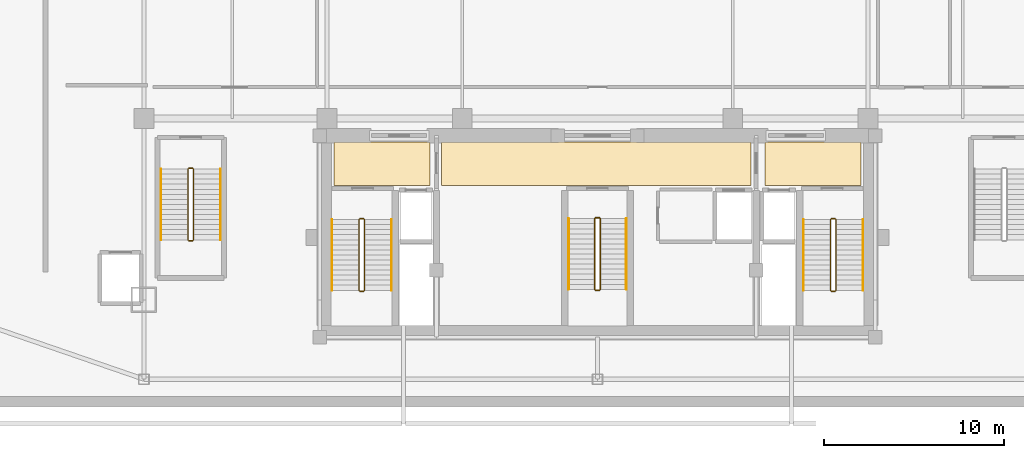
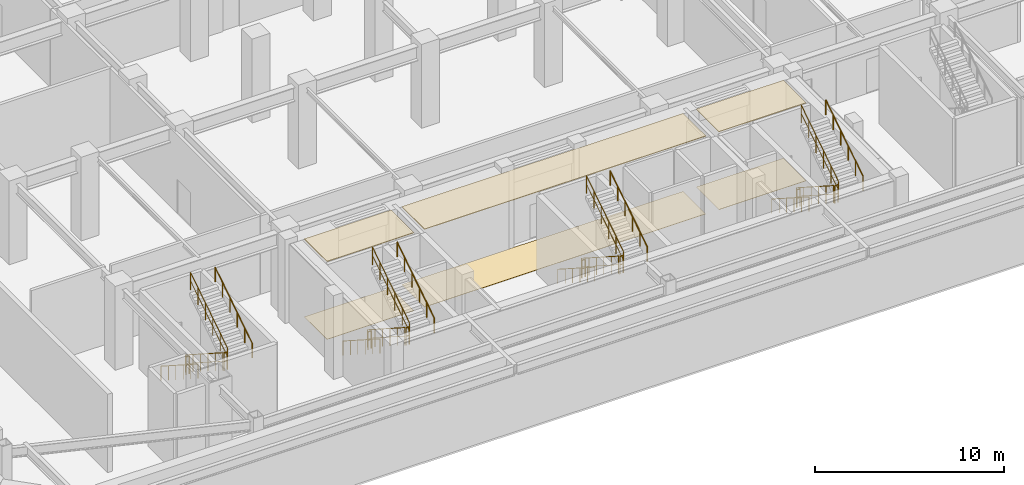
# One storey, part 8 of 9: 24 railings, 6 coverings.
"""IFC4 building model written with IfcOpenShell, lengths in metres."""

import ifcopenshell
import ifcopenshell.guid

model = None  # the IFC model being written
_history = None  # IfcOwnerHistory: only IFC2X3 demands one
_inside = {}  # id of a spatial element -> (the spatial element, [elements in it])
_under = {}  # id of a project, library or spatial element -> (it, [spatial elements below it])
_declared = {}  # id of a project -> (the project, [libraries it declares])
_typed = {}  # id of a type object -> (the type object, [elements of that type])
_made_of = {}  # id of a material, layer set ... -> (it, [elements and type objects made of it])


def new_model(schema):
    """Start an empty IFC model of exactly this schema.

    Asked for "IFC4X3", IfcOpenShell would pick the latest addendum, in which some entities
    have other attributes; the version numbers below select the first issue.
    IFC2X3 requires an IfcOwnerHistory on every rooted entity: one is made here for all.
    """
    global model, _history
    if schema == "IFC4X3":
        model = ifcopenshell.file(schema_version=(4, 3, 0, 0))
    else:
        model = ifcopenshell.file(schema=schema)
    _inside.clear()
    _under.clear()
    _declared.clear()
    _typed.clear()
    _made_of.clear()
    _history = None
    if model.schema == "IFC2X3":
        org = make("IfcOrganization", Name="unknown")
        user = make(
            "IfcPersonAndOrganization",
            ThePerson=make("IfcPerson", FamilyName="unknown"),
            TheOrganization=org,
        )
        app = make(
            "IfcApplication",
            ApplicationDeveloper=org,
            Version="unknown",
            ApplicationFullName="unknown",
            ApplicationIdentifier="unknown",
        )
        _history = make(
            "IfcOwnerHistory",
            OwningUser=user,
            OwningApplication=app,
            ChangeAction="ADDED",
            CreationDate=0,
        )
    return model


def make(cls, **values):
    """One entity of the class cls with the attributes given. An attribute that is None is left unset."""
    return model.create_entity(
        cls, **{name: value for name, value in values.items() if value is not None}
    )


def rooted(cls, **values):
    """An entity with a GlobalId (a new one), such as an element, a storey or a relation."""
    return make(cls, GlobalId=ifcopenshell.guid.new(), OwnerHistory=_history, **values)


def si_unit(unit_type, name, prefix=None):
    """IfcSIUnit, for example si_unit("LENGTHUNIT", "METRE", prefix="MILLI")."""
    return make("IfcSIUnit", UnitType=unit_type, Prefix=prefix, Name=name)


def assignment(units):
    """IfcUnitAssignment: the units of a project."""
    return None if units is None else make("IfcUnitAssignment", Units=units)


def point(xyz):
    """IfcCartesianPoint."""
    return None if xyz is None else make("IfcCartesianPoint", Coordinates=xyz)


def direction(xyz):
    """IfcDirection."""
    return None if xyz is None else make("IfcDirection", DirectionRatios=xyz)


def frame(location, z_axis=None, x_axis=None):
    """IfcAxis2Placement3D, a coordinate frame: its origin and axes. An axis left out is left unset."""
    return make(
        "IfcAxis2Placement3D",
        Location=point(location),
        Axis=direction(z_axis),
        RefDirection=direction(x_axis),
    )


def frame_2d(location, x_axis=None):
    """IfcAxis2Placement2D, a coordinate frame in the plane: its origin and x axis."""
    return make(
        "IfcAxis2Placement2D", Location=point(location), RefDirection=direction(x_axis)
    )


def origin():
    """The frame at (0, 0, 0) with its axes left unset."""
    return frame((0.0, 0.0, 0.0))


def origin_2d():
    """The frame at (0, 0) in the plane with its x axis left unset."""
    return frame_2d((0.0, 0.0))


def place(relative_to, where):
    """IfcLocalPlacement: puts the frame where relative to a parent placement (None: the world)."""
    return make(
        "IfcLocalPlacement", PlacementRelTo=relative_to, RelativePlacement=where
    )


def context(
    kind, dimensions, precision=None, world=None, true_north=None, identifier=None
):
    """IfcGeometricRepresentationContext, for example the 3D "Model" context."""
    return make(
        "IfcGeometricRepresentationContext",
        ContextIdentifier=identifier,
        ContextType=kind,
        CoordinateSpaceDimension=dimensions,
        Precision=precision,
        WorldCoordinateSystem=world,
        TrueNorth=true_north,
    )


def subcontext(parent, identifier, kind, view, scale=None):
    """IfcGeometricRepresentationSubContext, for example "Body" below "Model"."""
    return make(
        "IfcGeometricRepresentationSubContext",
        ContextIdentifier=identifier,
        ContextType=kind,
        ParentContext=parent,
        TargetScale=scale,
        TargetView=view,
    )


def project(units=None, contexts=None):
    """IfcProject with its units and contexts."""
    return rooted(
        "IfcProject",
        Name="project",
        RepresentationContexts=contexts,
        UnitsInContext=assignment(units),
    )


def spatial(cls, under=None, at=None, **own):
    """A site, building, storey or space (cls), placed at a placement, below another one or the project."""
    s = rooted(cls, ObjectPlacement=at, **own)
    if under is not None:
        _under.setdefault(under.id(), (under, []))[1].append(s)
    return s


def polyline(points):
    """IfcPolyline through the points."""
    return make("IfcPolyline", Points=[point(p) for p in points])


def profile(cls, at=None, kind="AREA", **sizes):
    """A parametric profile (cls). Its sizes go by their IFC names, for example OverallWidth=200.0."""
    return make(cls, ProfileType=kind, Position=at, **sizes)


def circle(**sizes):
    """IfcCircleProfileDef."""
    return profile("IfcCircleProfileDef", **sizes)


def outline(outer, holes=None, kind="AREA"):
    """IfcArbitraryClosedProfileDef: a profile drawn as a closed curve; with holes, ...WithVoids."""
    if holes is None:
        return make("IfcArbitraryClosedProfileDef", ProfileType=kind, OuterCurve=outer)
    return make(
        "IfcArbitraryProfileDefWithVoids",
        ProfileType=kind,
        OuterCurve=outer,
        InnerCurves=holes,
    )


def extrude(swept, where, along, depth):
    """IfcExtrudedAreaSolid: the profile swept, set in the frame where, extruded along a direction by depth."""
    return make(
        "IfcExtrudedAreaSolid",
        SweptArea=swept,
        Position=where,
        ExtrudedDirection=direction(along),
        Depth=depth,
    )


def shape(context_of_items, identifier, shape_type, items):
    """IfcShapeRepresentation: the items that make up one representation, for example the "Body"."""
    return make(
        "IfcShapeRepresentation",
        ContextOfItems=context_of_items,
        RepresentationIdentifier=identifier,
        RepresentationType=shape_type,
        Items=items,
    )


def material(Name=None, Category=None):
    """IfcMaterial."""
    return make("IfcMaterial", Name=Name, Category=Category)


def layer(
    of_material, thickness, ventilated=None, Name=None, Category=None, Priority=None
):
    """IfcMaterialLayer: one layer of a wall or slab, of a material (None: an air gap)."""
    return make(
        "IfcMaterialLayer",
        Material=of_material,
        LayerThickness=thickness,
        IsVentilated=ventilated,
        Name=Name,
        Category=Category,
        Priority=Priority,
    )


def layer_set(layers, Name=None):
    """IfcMaterialLayerSet."""
    return make("IfcMaterialLayerSet", MaterialLayers=layers, LayerSetName=Name)


def made_of(thing, what):
    """Note that an element or type object is made of a material, layer set ...; save() writes the relation."""
    if what is not None:
        _made_of.setdefault(what.id(), (what, []))[1].append(thing)
    return thing


def type_object(cls, material=None, **own):
    """A type object (cls), such as IfcWallType, which elements share."""
    return made_of(rooted(cls, **own), material)


def element(
    cls,
    number,
    at=None,
    inside=None,
    cuts=None,
    type_object=None,
    material=None,
    context=None,
    identifier="Body",
    shape_type=None,
    held_by="IfcProductDefinitionShape",
    body=None,
    shapes=None,
    **own,
):
    """One element of the class cls, such as IfcWall. Its Tag is "e" and its number.

    at: its placement. inside: the storey or other place that contains it. cuts: it is an
    opening in that element (IfcRelVoidsElement). A single representation is given by context,
    identifier, shape_type and body (its items); several are given by shapes. held_by: the class
    of the entity that holds the representations. save() writes the other relations.
    """
    e = rooted(cls, Tag="e%d" % number, ObjectPlacement=at, **own)
    if body is not None:
        shapes = [shape(context, identifier, shape_type, body)]
    if shapes is not None:
        e.Representation = make(held_by, Representations=shapes)
    if inside is not None:
        _inside.setdefault(inside.id(), (inside, []))[1].append(e)
    if cuts is not None:
        rooted(
            "IfcRelVoidsElement", RelatingBuildingElement=cuts, RelatedOpeningElement=e
        )
    if type_object is not None:
        _typed.setdefault(type_object.id(), (type_object, []))[1].append(e)
    return made_of(e, material)


def aggregate(whole, parts):
    """IfcRelAggregates: a whole, such as a stair, and the parts it consists of."""
    return rooted("IfcRelAggregates", RelatingObject=whole, RelatedObjects=parts)


def save(model, path):
    """Write the relations noted so far, then the file.

    IfcRelAggregates (storeys below a building ...), IfcRelContainedInSpatialStructure (elements
    in a storey), IfcRelDefinesByType, IfcRelAssociatesMaterial and IfcRelDeclares: one each for
    every whole, place, type object, material and project.
    """
    for whole, parts in _under.values():
        aggregate(whole, parts)
    for where, things in _inside.values():
        rooted(
            "IfcRelContainedInSpatialStructure",
            RelatedElements=things,
            RelatingStructure=where,
        )
    for kind, things in _typed.values():
        rooted("IfcRelDefinesByType", RelatedObjects=things, RelatingType=kind)
    for what, things in _made_of.values():
        rooted("IfcRelAssociatesMaterial", RelatedObjects=things, RelatingMaterial=what)
    for by, libraries in _declared.values():
        rooted("IfcRelDeclares", RelatingContext=by, RelatedDefinitions=libraries)
    model.write(path)


model = new_model("IFC4")

# Units and contexts
model_context = context("Model", 3, precision=1e-05, world=origin(), true_north=direction((0.0, 1.0)))
body_context = subcontext(model_context, "Body", "Model", "MODEL_VIEW")
ifc_project = project(units=[si_unit("LENGTHUNIT", "METRE"), si_unit("AREAUNIT", "SQUARE_METRE"), si_unit("VOLUMEUNIT", "CUBIC_METRE"), si_unit("PLANEANGLEUNIT", "RADIAN"), si_unit("MASSUNIT", "GRAM", prefix="KILO")], contexts=[model_context])

# Site, building, storey
site_placement = place(None, origin())
site = spatial("IfcSite", under=ifc_project, at=site_placement, CompositionType="ELEMENT")
building_placement = place(site_placement, origin())
building = spatial("IfcBuilding", under=site, at=building_placement, Name="Ventersveld Concourse Tower", CompositionType="ELEMENT")
storey_placement = place(building_placement, frame((0.0, 0.0, -5.39990234375)))
storey = spatial("IfcBuildingStorey", under=building, at=storey_placement, Name="B01", CompositionType="ELEMENT", Elevation=-5.39990234375)

# Coverings
ifc_material_1 = material(Name="Mineral-fibre acoustic ceiling tile", Category="gypsum")
ifc_layer_1 = layer(ifc_material_1, 0.0400390625)
ifc_layer_set_1 = layer_set([ifc_layer_1], Name="Mineral-fibre acoustic ceiling tile")
covering_type_1 = type_object("IfcCoveringType", Name="COV-CEIL-ACOUSTIC", PredefinedType="CEILING", material=ifc_layer_set_1)
covering_1_placement = place(storey_placement, frame((0.0, 0.0, 5.010009765625)))
element("IfcCovering", 1, at=covering_1_placement, inside=storey, type_object=covering_type_1, Name="B01 North Lift Lobby Acoustic Ceiling", PredefinedType="CEILING", context=body_context, shape_type="SweptSolid", body=[
    extrude(outline(polyline([(20.10009765625, 8.699951171875), (37.25, 8.699951171875), (37.25, 11.10009765625), (20.10009765625, 11.10009765625), (20.10009765625, 8.699951171875)])), origin(), (0.0, 0.0, 1.0), 0.039794921875),
])
covering_2_placement = place(storey_placement, frame((0.0, 0.0, 5.010009765625)))
element("IfcCovering", 2, at=covering_2_placement, inside=storey, type_object=covering_type_1, Name="B01 West Firefighting Lobby Acoustic Ceiling", PredefinedType="CEILING", context=body_context, shape_type="SweptSolid", body=[
    extrude(outline(polyline([(14.14990234375, 8.699951171875), (19.449951171875, 8.699951171875), (19.449951171875, 11.10009765625), (14.14990234375, 11.10009765625), (14.14990234375, 8.699951171875)])), origin(), (0.0, 0.0, 1.0), 0.039794921875),
])
covering_3_placement = place(storey_placement, frame((0.0, 0.0, 5.010009765625)))
element("IfcCovering", 3, at=covering_3_placement, inside=storey, type_object=covering_type_1, Name="B01 East Firefighting Lobby Acoustic Ceiling", PredefinedType="CEILING", context=body_context, shape_type="SweptSolid", body=[
    extrude(outline(polyline([(38.050048828125, 8.699951171875), (43.35009765625, 8.699951171875), (43.35009765625, 11.10009765625), (38.050048828125, 11.10009765625), (38.050048828125, 8.699951171875)])), origin(), (0.0, 0.0, 1.0), 0.039794921875),
])
ifc_material_2 = material(Name="Polished Highveld granite terrazzo", Category="masonry")
ifc_layer_2 = layer(ifc_material_2, 0.02001953125)
ifc_layer_set_2 = layer_set([ifc_layer_2], Name="Polished Highveld granite terrazzo")
covering_type_2 = type_object("IfcCoveringType", Name="COV-FLOOR-TERRAZZO", PredefinedType="FLOORING", material=ifc_layer_set_2)
covering_4_placement = place(storey_placement, origin())
element("IfcCovering", 4, at=covering_4_placement, inside=storey, type_object=covering_type_2, Name="B01 North Lift Lobby Terrazzo Flooring", PredefinedType="FLOORING", context=body_context, shape_type="SweptSolid", body=[
    extrude(outline(polyline([(20.10009765625, 8.699951171875), (37.25, 8.699951171875), (37.25, 11.10009765625), (20.10009765625, 11.10009765625), (20.10009765625, 8.699951171875)])), origin(), (0.0, 0.0, 1.0), 0.02001953125),
])
covering_5_placement = place(storey_placement, origin())
element("IfcCovering", 5, at=covering_5_placement, inside=storey, type_object=covering_type_2, Name="B01 West Firefighting Lobby Terrazzo Flooring", PredefinedType="FLOORING", context=body_context, shape_type="SweptSolid", body=[
    extrude(outline(polyline([(14.14990234375, 8.699951171875), (19.449951171875, 8.699951171875), (19.449951171875, 11.10009765625), (14.14990234375, 11.10009765625), (14.14990234375, 8.699951171875)])), origin(), (0.0, 0.0, 1.0), 0.02001953125),
])
covering_6_placement = place(storey_placement, origin())
element("IfcCovering", 6, at=covering_6_placement, inside=storey, type_object=covering_type_2, Name="B01 East Firefighting Lobby Terrazzo Flooring", PredefinedType="FLOORING", context=body_context, shape_type="SweptSolid", body=[
    extrude(outline(polyline([(38.050048828125, 8.699951171875), (43.35009765625, 8.699951171875), (43.35009765625, 11.10009765625), (38.050048828125, 11.10009765625), (38.050048828125, 8.699951171875)])), origin(), (0.0, 0.0, 1.0), 0.02001953125),
])

# Railings
ifc_material_3 = material(Name="Brushed stainless steel 316", Category="steel")
railing_type_1 = type_object("IfcRailingType", Name="GD-BAL-115", PredefinedType="GUARDRAIL", material=ifc_material_3)
railing_1_placement = place(storey_placement, frame((15.530029296875, 6.800048828125, 0.179931640625)))
element("IfcRailing", 7, at=railing_1_placement, inside=storey, type_object=railing_type_1, Name="B01 ST-01 stair guard 1", PredefinedType="GUARDRAIL", context=body_context, shape_type="SweptSolid", body=[
    extrude(circle(Radius=0.02392578125, at=origin_2d()), frame((0.0, 0.0, 1.1259765625), z_axis=(0.0, -0.841186985886, 0.540744352514), x_axis=(1.0, 0.0, 0.0)), (0.0, 0.0, 1.0), 4.660400390625),
    extrude(circle(Radius=0.01611328125, at=origin_2d()), frame((0.0, 0.0, 0.574951171875), z_axis=(0.0, -0.841186985886, 0.540744352514), x_axis=(1.0, 0.0, 0.0)), (0.0, 0.0, 1.0), 4.660400390625),
    extrude(circle(Radius=0.02099609375, at=origin_2d()), origin(), (0.0, 0.0, 1.0), 1.101806640625),
    extrude(circle(Radius=0.02099609375, at=origin_2d()), frame((0.0, -0.783935546875, 0.50390625)), (0.0, 0.0, 1.0), 1.101806640625),
    extrude(circle(Radius=0.02099609375, at=origin_2d()), frame((0.0, -1.568115234375, 1.008056640625)), (0.0, 0.0, 1.0), 1.101806640625),
    extrude(circle(Radius=0.02099609375, at=origin_2d()), frame((0.0, -2.35205078125, 1.511962890625)), (0.0, 0.0, 1.0), 1.101806640625),
    extrude(circle(Radius=0.02099609375, at=origin_2d()), frame((0.0, -3.13623046875, 2.01611328125)), (0.0, 0.0, 1.0), 1.101806640625),
    extrude(circle(Radius=0.02099609375, at=origin_2d()), frame((0.0, -3.920166015625, 2.52001953125)), (0.0, 0.0, 1.0), 1.101806640625),
])
railing_2_placement = place(storey_placement, frame((15.580078125, 2.830078125, 2.699951171875)))
element("IfcRailing", 8, at=railing_2_placement, inside=storey, type_object=railing_type_1, Name="B01 ST-01 stair guard 2", PredefinedType="GUARDRAIL", context=body_context, shape_type="SweptSolid", body=[
    extrude(circle(Radius=0.02392578125, at=origin_2d()), frame((0.0, 0.0, 1.1259765625), z_axis=(1.0, 0.0, 0.0), x_axis=(0.0, 1.0, 0.0)), (0.0, 0.0, 1.0), 0.199951171875),
    extrude(circle(Radius=0.01611328125, at=origin_2d()), frame((0.0, 0.0, 0.574951171875), z_axis=(1.0, 0.0, 0.0), x_axis=(0.0, 1.0, 0.0)), (0.0, 0.0, 1.0), 0.199951171875),
    extrude(circle(Radius=0.02099609375, at=origin_2d()), origin(), (0.0, 0.0, 1.0), 1.101806640625),
    extrude(circle(Radius=0.02099609375, at=origin_2d()), frame((0.199951171875, 0.0, 0.0)), (0.0, 0.0, 1.0), 1.101806640625),
])
railing_3_placement = place(storey_placement, frame((15.830078125, 2.8798828125, 2.8798828125)))
element("IfcRailing", 9, at=railing_3_placement, inside=storey, type_object=railing_type_1, Name="B01 ST-01 stair guard 3", PredefinedType="GUARDRAIL", context=body_context, shape_type="SweptSolid", body=[
    extrude(circle(Radius=0.02392578125, at=origin_2d()), frame((0.0, 0.0, 1.1259765625), z_axis=(0.0, 0.841186985886, 0.540744352514), x_axis=(-1.0, 0.0, 0.0)), (0.0, 0.0, 1.0), 4.660400390625),
    extrude(circle(Radius=0.01611328125, at=origin_2d()), frame((0.0, 0.0, 0.574951171875), z_axis=(0.0, 0.841186985886, 0.540744352514), x_axis=(-1.0, 0.0, 0.0)), (0.0, 0.0, 1.0), 4.660400390625),
    extrude(circle(Radius=0.02099609375, at=origin_2d()), origin(), (0.0, 0.0, 1.0), 1.101806640625),
    extrude(circle(Radius=0.02099609375, at=origin_2d()), frame((0.0, 0.783935546875, 0.50390625)), (0.0, 0.0, 1.0), 1.101806640625),
    extrude(circle(Radius=0.02099609375, at=origin_2d()), frame((0.0, 1.568115234375, 1.008056640625)), (0.0, 0.0, 1.0), 1.101806640625),
    extrude(circle(Radius=0.02099609375, at=origin_2d()), frame((0.0, 2.35205078125, 1.511962890625)), (0.0, 0.0, 1.0), 1.101806640625),
    extrude(circle(Radius=0.02099609375, at=origin_2d()), frame((0.0, 3.13623046875, 2.01611328125)), (0.0, 0.0, 1.0), 1.101806640625),
    extrude(circle(Radius=0.02099609375, at=origin_2d()), frame((0.0, 3.920166015625, 2.52001953125)), (0.0, 0.0, 1.0), 1.101806640625),
])
railing_4_placement = place(storey_placement, frame((15.580078125, 6.85009765625, 0.0)))
element("IfcRailing", 10, at=railing_4_placement, inside=storey, type_object=railing_type_1, Name="B01 ST-01 stair guard 4", PredefinedType="GUARDRAIL", context=body_context, shape_type="SweptSolid", body=[
    extrude(circle(Radius=0.02392578125, at=origin_2d()), frame((0.0, 0.0, 1.1259765625), z_axis=(1.0, 0.0, 0.0), x_axis=(0.0, 1.0, 0.0)), (0.0, 0.0, 1.0), 0.199951171875),
    extrude(circle(Radius=0.01611328125, at=origin_2d()), frame((0.0, 0.0, 0.574951171875), z_axis=(1.0, 0.0, 0.0), x_axis=(0.0, 1.0, 0.0)), (0.0, 0.0, 1.0), 0.199951171875),
    extrude(circle(Radius=0.02099609375, at=origin_2d()), origin(), (0.0, 0.0, 1.0), 1.101806640625),
    extrude(circle(Radius=0.02099609375, at=origin_2d()), frame((0.199951171875, 0.0, 0.0)), (0.0, 0.0, 1.0), 1.101806640625),
])
railing_5_placement = place(storey_placement, frame((41.669921875, 6.800048828125, 0.179931640625)))
element("IfcRailing", 11, at=railing_5_placement, inside=storey, type_object=railing_type_1, Name="B01 ST-02 stair guard 1", PredefinedType="GUARDRAIL", context=body_context, shape_type="SweptSolid", body=[
    extrude(circle(Radius=0.02392578125, at=origin_2d()), frame((0.0, 0.0, 1.1259765625), z_axis=(0.0, -0.841186985886, 0.540744352514), x_axis=(1.0, 0.0, 0.0)), (0.0, 0.0, 1.0), 4.660400390625),
    extrude(circle(Radius=0.01611328125, at=origin_2d()), frame((0.0, 0.0, 0.574951171875), z_axis=(0.0, -0.841186985886, 0.540744352514), x_axis=(1.0, 0.0, 0.0)), (0.0, 0.0, 1.0), 4.660400390625),
    extrude(circle(Radius=0.02099609375, at=origin_2d()), origin(), (0.0, 0.0, 1.0), 1.101806640625),
    extrude(circle(Radius=0.02099609375, at=origin_2d()), frame((0.0, -0.783935546875, 0.50390625)), (0.0, 0.0, 1.0), 1.101806640625),
    extrude(circle(Radius=0.02099609375, at=origin_2d()), frame((0.0, -1.568115234375, 1.008056640625)), (0.0, 0.0, 1.0), 1.101806640625),
    extrude(circle(Radius=0.02099609375, at=origin_2d()), frame((0.0, -2.35205078125, 1.511962890625)), (0.0, 0.0, 1.0), 1.101806640625),
    extrude(circle(Radius=0.02099609375, at=origin_2d()), frame((0.0, -3.13623046875, 2.01611328125)), (0.0, 0.0, 1.0), 1.101806640625),
    extrude(circle(Radius=0.02099609375, at=origin_2d()), frame((0.0, -3.920166015625, 2.52001953125)), (0.0, 0.0, 1.0), 1.101806640625),
])
railing_6_placement = place(storey_placement, frame((41.719970703125, 2.830078125, 2.699951171875)))
element("IfcRailing", 12, at=railing_6_placement, inside=storey, type_object=railing_type_1, Name="B01 ST-02 stair guard 2", PredefinedType="GUARDRAIL", context=body_context, shape_type="SweptSolid", body=[
    extrude(circle(Radius=0.02392578125, at=origin_2d()), frame((0.0, 0.0, 1.1259765625), z_axis=(1.0, 0.0, 0.0), x_axis=(0.0, 1.0, 0.0)), (0.0, 0.0, 1.0), 0.199951171875),
    extrude(circle(Radius=0.01611328125, at=origin_2d()), frame((0.0, 0.0, 0.574951171875), z_axis=(1.0, 0.0, 0.0), x_axis=(0.0, 1.0, 0.0)), (0.0, 0.0, 1.0), 0.199951171875),
    extrude(circle(Radius=0.02099609375, at=origin_2d()), origin(), (0.0, 0.0, 1.0), 1.101806640625),
    extrude(circle(Radius=0.02099609375, at=origin_2d()), frame((0.199951171875, 0.0, 0.0)), (0.0, 0.0, 1.0), 1.101806640625),
])
railing_7_placement = place(storey_placement, frame((41.969970703125, 2.8798828125, 2.8798828125)))
element("IfcRailing", 13, at=railing_7_placement, inside=storey, type_object=railing_type_1, Name="B01 ST-02 stair guard 3", PredefinedType="GUARDRAIL", context=body_context, shape_type="SweptSolid", body=[
    extrude(circle(Radius=0.02392578125, at=origin_2d()), frame((0.0, 0.0, 1.1259765625), z_axis=(0.0, 0.841186985886, 0.540744352514), x_axis=(-1.0, 0.0, 0.0)), (0.0, 0.0, 1.0), 4.660400390625),
    extrude(circle(Radius=0.01611328125, at=origin_2d()), frame((0.0, 0.0, 0.574951171875), z_axis=(0.0, 0.841186985886, 0.540744352514), x_axis=(-1.0, 0.0, 0.0)), (0.0, 0.0, 1.0), 4.660400390625),
    extrude(circle(Radius=0.02099609375, at=origin_2d()), origin(), (0.0, 0.0, 1.0), 1.101806640625),
    extrude(circle(Radius=0.02099609375, at=origin_2d()), frame((0.0, 0.783935546875, 0.50390625)), (0.0, 0.0, 1.0), 1.101806640625),
    extrude(circle(Radius=0.02099609375, at=origin_2d()), frame((0.0, 1.568115234375, 1.008056640625)), (0.0, 0.0, 1.0), 1.101806640625),
    extrude(circle(Radius=0.02099609375, at=origin_2d()), frame((0.0, 2.35205078125, 1.511962890625)), (0.0, 0.0, 1.0), 1.101806640625),
    extrude(circle(Radius=0.02099609375, at=origin_2d()), frame((0.0, 3.13623046875, 2.01611328125)), (0.0, 0.0, 1.0), 1.101806640625),
    extrude(circle(Radius=0.02099609375, at=origin_2d()), frame((0.0, 3.920166015625, 2.52001953125)), (0.0, 0.0, 1.0), 1.101806640625),
])
railing_8_placement = place(storey_placement, frame((41.719970703125, 6.85009765625, 0.0)))
element("IfcRailing", 14, at=railing_8_placement, inside=storey, type_object=railing_type_1, Name="B01 ST-02 stair guard 4", PredefinedType="GUARDRAIL", context=body_context, shape_type="SweptSolid", body=[
    extrude(circle(Radius=0.02392578125, at=origin_2d()), frame((0.0, 0.0, 1.1259765625), z_axis=(1.0, 0.0, 0.0), x_axis=(0.0, 1.0, 0.0)), (0.0, 0.0, 1.0), 0.199951171875),
    extrude(circle(Radius=0.01611328125, at=origin_2d()), frame((0.0, 0.0, 0.574951171875), z_axis=(1.0, 0.0, 0.0), x_axis=(0.0, 1.0, 0.0)), (0.0, 0.0, 1.0), 0.199951171875),
    extrude(circle(Radius=0.02099609375, at=origin_2d()), origin(), (0.0, 0.0, 1.0), 1.101806640625),
    extrude(circle(Radius=0.02099609375, at=origin_2d()), frame((0.199951171875, 0.0, 0.0)), (0.0, 0.0, 1.0), 1.101806640625),
])
railing_9_placement = place(storey_placement, frame((28.60009765625, 6.85009765625, 0.179931640625)))
element("IfcRailing", 15, at=railing_9_placement, inside=storey, type_object=railing_type_1, Name="B01 ST-03 stair guard 1", PredefinedType="GUARDRAIL", context=body_context, shape_type="SweptSolid", body=[
    extrude(circle(Radius=0.02392578125, at=origin_2d()), frame((0.0, 0.0, 1.1259765625), z_axis=(0.0, -0.841186985886, 0.540744352514), x_axis=(1.0, 0.0, 0.0)), (0.0, 0.0, 1.0), 4.660400390625),
    extrude(circle(Radius=0.01611328125, at=origin_2d()), frame((0.0, 0.0, 0.574951171875), z_axis=(0.0, -0.841186985886, 0.540744352514), x_axis=(1.0, 0.0, 0.0)), (0.0, 0.0, 1.0), 4.660400390625),
    extrude(circle(Radius=0.02099609375, at=origin_2d()), origin(), (0.0, 0.0, 1.0), 1.101806640625),
    extrude(circle(Radius=0.02099609375, at=origin_2d()), frame((0.0, -0.783935546875, 0.50390625)), (0.0, 0.0, 1.0), 1.101806640625),
    extrude(circle(Radius=0.02099609375, at=origin_2d()), frame((0.0, -1.568115234375, 1.008056640625)), (0.0, 0.0, 1.0), 1.101806640625),
    extrude(circle(Radius=0.02099609375, at=origin_2d()), frame((0.0, -2.35205078125, 1.511962890625)), (0.0, 0.0, 1.0), 1.101806640625),
    extrude(circle(Radius=0.02099609375, at=origin_2d()), frame((0.0, -3.13623046875, 2.01611328125)), (0.0, 0.0, 1.0), 1.101806640625),
    extrude(circle(Radius=0.02099609375, at=origin_2d()), frame((0.0, -3.920166015625, 2.52001953125)), (0.0, 0.0, 1.0), 1.101806640625),
])
railing_10_placement = place(storey_placement, frame((28.64990234375, 2.8798828125, 2.699951171875)))
element("IfcRailing", 16, at=railing_10_placement, inside=storey, type_object=railing_type_1, Name="B01 ST-03 stair guard 2", PredefinedType="GUARDRAIL", context=body_context, shape_type="SweptSolid", body=[
    extrude(circle(Radius=0.02392578125, at=origin_2d()), frame((0.0, 0.0, 1.1259765625), z_axis=(1.0, 0.0, 0.0), x_axis=(0.0, 1.0, 0.0)), (0.0, 0.0, 1.0), 0.2001953125),
    extrude(circle(Radius=0.01611328125, at=origin_2d()), frame((0.0, 0.0, 0.574951171875), z_axis=(1.0, 0.0, 0.0), x_axis=(0.0, 1.0, 0.0)), (0.0, 0.0, 1.0), 0.2001953125),
    extrude(circle(Radius=0.02099609375, at=origin_2d()), origin(), (0.0, 0.0, 1.0), 1.101806640625),
    extrude(circle(Radius=0.02099609375, at=origin_2d()), frame((0.2001953125, 0.0, 0.0)), (0.0, 0.0, 1.0), 1.101806640625),
])
railing_11_placement = place(storey_placement, frame((28.89990234375, 2.929931640625, 2.8798828125)))
element("IfcRailing", 17, at=railing_11_placement, inside=storey, type_object=railing_type_1, Name="B01 ST-03 stair guard 3", PredefinedType="GUARDRAIL", context=body_context, shape_type="SweptSolid", body=[
    extrude(circle(Radius=0.02392578125, at=origin_2d()), frame((0.0, 0.0, 1.1259765625), z_axis=(0.0, 0.841186985886, 0.540744352514), x_axis=(-1.0, 0.0, 0.0)), (0.0, 0.0, 1.0), 4.660400390625),
    extrude(circle(Radius=0.01611328125, at=origin_2d()), frame((0.0, 0.0, 0.574951171875), z_axis=(0.0, 0.841186985886, 0.540744352514), x_axis=(-1.0, 0.0, 0.0)), (0.0, 0.0, 1.0), 4.660400390625),
    extrude(circle(Radius=0.02099609375, at=origin_2d()), origin(), (0.0, 0.0, 1.0), 1.101806640625),
    extrude(circle(Radius=0.02099609375, at=origin_2d()), frame((0.0, 0.783935546875, 0.50390625)), (0.0, 0.0, 1.0), 1.101806640625),
    extrude(circle(Radius=0.02099609375, at=origin_2d()), frame((0.0, 1.568115234375, 1.008056640625)), (0.0, 0.0, 1.0), 1.101806640625),
    extrude(circle(Radius=0.02099609375, at=origin_2d()), frame((0.0, 2.35205078125, 1.511962890625)), (0.0, 0.0, 1.0), 1.101806640625),
    extrude(circle(Radius=0.02099609375, at=origin_2d()), frame((0.0, 3.13623046875, 2.01611328125)), (0.0, 0.0, 1.0), 1.101806640625),
    extrude(circle(Radius=0.02099609375, at=origin_2d()), frame((0.0, 3.920166015625, 2.52001953125)), (0.0, 0.0, 1.0), 1.101806640625),
])
railing_12_placement = place(storey_placement, frame((28.64990234375, 6.89990234375, 0.0)))
element("IfcRailing", 18, at=railing_12_placement, inside=storey, type_object=railing_type_1, Name="B01 ST-03 stair guard 4", PredefinedType="GUARDRAIL", context=body_context, shape_type="SweptSolid", body=[
    extrude(circle(Radius=0.02392578125, at=origin_2d()), frame((0.0, 0.0, 1.1259765625), z_axis=(1.0, 0.0, 0.0), x_axis=(0.0, 1.0, 0.0)), (0.0, 0.0, 1.0), 0.2001953125),
    extrude(circle(Radius=0.01611328125, at=origin_2d()), frame((0.0, 0.0, 0.574951171875), z_axis=(1.0, 0.0, 0.0), x_axis=(0.0, 1.0, 0.0)), (0.0, 0.0, 1.0), 0.2001953125),
    extrude(circle(Radius=0.02099609375, at=origin_2d()), origin(), (0.0, 0.0, 1.0), 1.101806640625),
    extrude(circle(Radius=0.02099609375, at=origin_2d()), frame((0.2001953125, 0.0, 0.0)), (0.0, 0.0, 1.0), 1.101806640625),
])
railing_13_placement = place(storey_placement, frame((6.050048828125, 9.60009765625, 0.179931640625)))
element("IfcRailing", 19, at=railing_13_placement, inside=storey, type_object=railing_type_1, Name="B01 ST-04 stair guard 1", PredefinedType="GUARDRAIL", context=body_context, shape_type="SweptSolid", body=[
    extrude(circle(Radius=0.02392578125, at=origin_2d()), frame((0.0, 0.0, 1.1259765625), z_axis=(0.0, -0.841186985886, 0.540744352514), x_axis=(1.0, 0.0, 0.0)), (0.0, 0.0, 1.0), 4.660400390625),
    extrude(circle(Radius=0.01611328125, at=origin_2d()), frame((0.0, 0.0, 0.574951171875), z_axis=(0.0, -0.841186985886, 0.540744352514), x_axis=(1.0, 0.0, 0.0)), (0.0, 0.0, 1.0), 4.660400390625),
    extrude(circle(Radius=0.02099609375, at=origin_2d()), origin(), (0.0, 0.0, 1.0), 1.101806640625),
    extrude(circle(Radius=0.02099609375, at=origin_2d()), frame((0.0, -0.783935546875, 0.50390625)), (0.0, 0.0, 1.0), 1.101806640625),
    extrude(circle(Radius=0.02099609375, at=origin_2d()), frame((0.0, -1.568115234375, 1.008056640625)), (0.0, 0.0, 1.0), 1.101806640625),
    extrude(circle(Radius=0.02099609375, at=origin_2d()), frame((0.0, -2.35205078125, 1.511962890625)), (0.0, 0.0, 1.0), 1.101806640625),
    extrude(circle(Radius=0.02099609375, at=origin_2d()), frame((0.0, -3.13623046875, 2.01611328125)), (0.0, 0.0, 1.0), 1.101806640625),
    extrude(circle(Radius=0.02099609375, at=origin_2d()), frame((0.0, -3.920166015625, 2.52001953125)), (0.0, 0.0, 1.0), 1.101806640625),
])
railing_14_placement = place(storey_placement, frame((6.10009765625, 5.6298828125, 2.699951171875)))
element("IfcRailing", 20, at=railing_14_placement, inside=storey, type_object=railing_type_1, Name="B01 ST-04 stair guard 2", PredefinedType="GUARDRAIL", context=body_context, shape_type="SweptSolid", body=[
    extrude(circle(Radius=0.02392578125, at=origin_2d()), frame((0.0, 0.0, 1.1259765625), z_axis=(1.0, 0.0, 0.0), x_axis=(0.0, 1.0, 0.0)), (0.0, 0.0, 1.0), 0.199951171875),
    extrude(circle(Radius=0.01611328125, at=origin_2d()), frame((0.0, 0.0, 0.574951171875), z_axis=(1.0, 0.0, 0.0), x_axis=(0.0, 1.0, 0.0)), (0.0, 0.0, 1.0), 0.199951171875),
    extrude(circle(Radius=0.02099609375, at=origin_2d()), origin(), (0.0, 0.0, 1.0), 1.101806640625),
    extrude(circle(Radius=0.02099609375, at=origin_2d()), frame((0.199951171875, 0.0, 0.0)), (0.0, 0.0, 1.0), 1.101806640625),
])
railing_15_placement = place(storey_placement, frame((6.35009765625, 5.679931640625, 2.8798828125)))
element("IfcRailing", 21, at=railing_15_placement, inside=storey, type_object=railing_type_1, Name="B01 ST-04 stair guard 3", PredefinedType="GUARDRAIL", context=body_context, shape_type="SweptSolid", body=[
    extrude(circle(Radius=0.02392578125, at=origin_2d()), frame((0.0, 0.0, 1.1259765625), z_axis=(0.0, 0.841186985886, 0.540744352514), x_axis=(-1.0, 0.0, 0.0)), (0.0, 0.0, 1.0), 4.660400390625),
    extrude(circle(Radius=0.01611328125, at=origin_2d()), frame((0.0, 0.0, 0.574951171875), z_axis=(0.0, 0.841186985886, 0.540744352514), x_axis=(-1.0, 0.0, 0.0)), (0.0, 0.0, 1.0), 4.660400390625),
    extrude(circle(Radius=0.02099609375, at=origin_2d()), origin(), (0.0, 0.0, 1.0), 1.101806640625),
    extrude(circle(Radius=0.02099609375, at=origin_2d()), frame((0.0, 0.783935546875, 0.50390625)), (0.0, 0.0, 1.0), 1.101806640625),
    extrude(circle(Radius=0.02099609375, at=origin_2d()), frame((0.0, 1.568115234375, 1.008056640625)), (0.0, 0.0, 1.0), 1.101806640625),
    extrude(circle(Radius=0.02099609375, at=origin_2d()), frame((0.0, 2.35205078125, 1.511962890625)), (0.0, 0.0, 1.0), 1.101806640625),
    extrude(circle(Radius=0.02099609375, at=origin_2d()), frame((0.0, 3.13623046875, 2.01611328125)), (0.0, 0.0, 1.0), 1.101806640625),
    extrude(circle(Radius=0.02099609375, at=origin_2d()), frame((0.0, 3.920166015625, 2.52001953125)), (0.0, 0.0, 1.0), 1.101806640625),
])
railing_16_placement = place(storey_placement, frame((6.10009765625, 9.64990234375, 0.0)))
element("IfcRailing", 22, at=railing_16_placement, inside=storey, type_object=railing_type_1, Name="B01 ST-04 stair guard 4", PredefinedType="GUARDRAIL", context=body_context, shape_type="SweptSolid", body=[
    extrude(circle(Radius=0.02392578125, at=origin_2d()), frame((0.0, 0.0, 1.1259765625), z_axis=(1.0, 0.0, 0.0), x_axis=(0.0, 1.0, 0.0)), (0.0, 0.0, 1.0), 0.199951171875),
    extrude(circle(Radius=0.01611328125, at=origin_2d()), frame((0.0, 0.0, 0.574951171875), z_axis=(1.0, 0.0, 0.0), x_axis=(0.0, 1.0, 0.0)), (0.0, 0.0, 1.0), 0.199951171875),
    extrude(circle(Radius=0.02099609375, at=origin_2d()), origin(), (0.0, 0.0, 1.0), 1.101806640625),
    extrude(circle(Radius=0.02099609375, at=origin_2d()), frame((0.199951171875, 0.0, 0.0)), (0.0, 0.0, 1.0), 1.101806640625),
])
railing_type_2 = type_object("IfcRailingType", Name="HR-RMP-095", PredefinedType="HANDRAIL", material=ifc_material_3)
railing_17_placement = place(storey_placement, frame((14.030029296875, 6.800048828125, 0.179931640625)))
element("IfcRailing", 23, at=railing_17_placement, inside=storey, type_object=railing_type_2, Name="B01 ST-01 stair handrail 1", PredefinedType="HANDRAIL", context=body_context, shape_type="SweptSolid", body=[
    extrude(circle(Radius=0.02392578125, at=origin_2d()), frame((0.0, 0.0, 0.92578125), z_axis=(0.0, -0.841186985886, 0.540744352514), x_axis=(1.0, 0.0, 0.0)), (0.0, 0.0, 1.0), 4.660400390625),
    extrude(circle(Radius=0.02099609375, at=origin_2d()), origin(), (0.0, 0.0, 1.0), 0.90185546875),
    extrude(circle(Radius=0.02099609375, at=origin_2d()), frame((0.0, -0.783935546875, 0.50390625)), (0.0, 0.0, 1.0), 0.90185546875),
    extrude(circle(Radius=0.02099609375, at=origin_2d()), frame((0.0, -1.568115234375, 1.008056640625)), (0.0, 0.0, 1.0), 0.90185546875),
    extrude(circle(Radius=0.02099609375, at=origin_2d()), frame((0.0, -2.35205078125, 1.511962890625)), (0.0, 0.0, 1.0), 0.90185546875),
    extrude(circle(Radius=0.02099609375, at=origin_2d()), frame((0.0, -3.13623046875, 2.01611328125)), (0.0, 0.0, 1.0), 0.90185546875),
    extrude(circle(Radius=0.02099609375, at=origin_2d()), frame((0.0, -3.920166015625, 2.52001953125)), (0.0, 0.0, 1.0), 0.90185546875),
])
railing_18_placement = place(storey_placement, frame((17.330078125, 2.8798828125, 2.8798828125)))
element("IfcRailing", 24, at=railing_18_placement, inside=storey, type_object=railing_type_2, Name="B01 ST-01 stair handrail 2", PredefinedType="HANDRAIL", context=body_context, shape_type="SweptSolid", body=[
    extrude(circle(Radius=0.02392578125, at=origin_2d()), frame((0.0, 0.0, 0.92578125), z_axis=(0.0, 0.841186985886, 0.540744352514), x_axis=(-1.0, 0.0, 0.0)), (0.0, 0.0, 1.0), 4.660400390625),
    extrude(circle(Radius=0.02099609375, at=origin_2d()), origin(), (0.0, 0.0, 1.0), 0.90185546875),
    extrude(circle(Radius=0.02099609375, at=origin_2d()), frame((0.0, 0.783935546875, 0.50390625)), (0.0, 0.0, 1.0), 0.90185546875),
    extrude(circle(Radius=0.02099609375, at=origin_2d()), frame((0.0, 1.568115234375, 1.008056640625)), (0.0, 0.0, 1.0), 0.90185546875),
    extrude(circle(Radius=0.02099609375, at=origin_2d()), frame((0.0, 2.35205078125, 1.511962890625)), (0.0, 0.0, 1.0), 0.90185546875),
    extrude(circle(Radius=0.02099609375, at=origin_2d()), frame((0.0, 3.13623046875, 2.01611328125)), (0.0, 0.0, 1.0), 0.90185546875),
    extrude(circle(Radius=0.02099609375, at=origin_2d()), frame((0.0, 3.920166015625, 2.52001953125)), (0.0, 0.0, 1.0), 0.90185546875),
])
railing_19_placement = place(storey_placement, frame((40.169921875, 6.800048828125, 0.179931640625)))
element("IfcRailing", 25, at=railing_19_placement, inside=storey, type_object=railing_type_2, Name="B01 ST-02 stair handrail 1", PredefinedType="HANDRAIL", context=body_context, shape_type="SweptSolid", body=[
    extrude(circle(Radius=0.02392578125, at=origin_2d()), frame((0.0, 0.0, 0.92578125), z_axis=(0.0, -0.841186985886, 0.540744352514), x_axis=(1.0, 0.0, 0.0)), (0.0, 0.0, 1.0), 4.660400390625),
    extrude(circle(Radius=0.02099609375, at=origin_2d()), origin(), (0.0, 0.0, 1.0), 0.90185546875),
    extrude(circle(Radius=0.02099609375, at=origin_2d()), frame((0.0, -0.783935546875, 0.50390625)), (0.0, 0.0, 1.0), 0.90185546875),
    extrude(circle(Radius=0.02099609375, at=origin_2d()), frame((0.0, -1.568115234375, 1.008056640625)), (0.0, 0.0, 1.0), 0.90185546875),
    extrude(circle(Radius=0.02099609375, at=origin_2d()), frame((0.0, -2.35205078125, 1.511962890625)), (0.0, 0.0, 1.0), 0.90185546875),
    extrude(circle(Radius=0.02099609375, at=origin_2d()), frame((0.0, -3.13623046875, 2.01611328125)), (0.0, 0.0, 1.0), 0.90185546875),
    extrude(circle(Radius=0.02099609375, at=origin_2d()), frame((0.0, -3.920166015625, 2.52001953125)), (0.0, 0.0, 1.0), 0.90185546875),
])
railing_20_placement = place(storey_placement, frame((43.469970703125, 2.8798828125, 2.8798828125)))
element("IfcRailing", 26, at=railing_20_placement, inside=storey, type_object=railing_type_2, Name="B01 ST-02 stair handrail 2", PredefinedType="HANDRAIL", context=body_context, shape_type="SweptSolid", body=[
    extrude(circle(Radius=0.02392578125, at=origin_2d()), frame((0.0, 0.0, 0.92578125), z_axis=(0.0, 0.841186985886, 0.540744352514), x_axis=(-1.0, 0.0, 0.0)), (0.0, 0.0, 1.0), 4.660400390625),
    extrude(circle(Radius=0.02099609375, at=origin_2d()), origin(), (0.0, 0.0, 1.0), 0.90185546875),
    extrude(circle(Radius=0.02099609375, at=origin_2d()), frame((0.0, 0.783935546875, 0.50390625)), (0.0, 0.0, 1.0), 0.90185546875),
    extrude(circle(Radius=0.02099609375, at=origin_2d()), frame((0.0, 1.568115234375, 1.008056640625)), (0.0, 0.0, 1.0), 0.90185546875),
    extrude(circle(Radius=0.02099609375, at=origin_2d()), frame((0.0, 2.35205078125, 1.511962890625)), (0.0, 0.0, 1.0), 0.90185546875),
    extrude(circle(Radius=0.02099609375, at=origin_2d()), frame((0.0, 3.13623046875, 2.01611328125)), (0.0, 0.0, 1.0), 0.90185546875),
    extrude(circle(Radius=0.02099609375, at=origin_2d()), frame((0.0, 3.920166015625, 2.52001953125)), (0.0, 0.0, 1.0), 0.90185546875),
])
railing_21_placement = place(storey_placement, frame((27.14990234375, 6.85009765625, 0.179931640625)))
element("IfcRailing", 27, at=railing_21_placement, inside=storey, type_object=railing_type_2, Name="B01 ST-03 stair handrail 1", PredefinedType="HANDRAIL", context=body_context, shape_type="SweptSolid", body=[
    extrude(circle(Radius=0.02392578125, at=origin_2d()), frame((0.0, 0.0, 0.92578125), z_axis=(0.0, -0.841186985886, 0.540744352514), x_axis=(1.0, 0.0, 0.0)), (0.0, 0.0, 1.0), 4.660400390625),
    extrude(circle(Radius=0.02099609375, at=origin_2d()), origin(), (0.0, 0.0, 1.0), 0.90185546875),
    extrude(circle(Radius=0.02099609375, at=origin_2d()), frame((0.0, -0.783935546875, 0.50390625)), (0.0, 0.0, 1.0), 0.90185546875),
    extrude(circle(Radius=0.02099609375, at=origin_2d()), frame((0.0, -1.568115234375, 1.008056640625)), (0.0, 0.0, 1.0), 0.90185546875),
    extrude(circle(Radius=0.02099609375, at=origin_2d()), frame((0.0, -2.35205078125, 1.511962890625)), (0.0, 0.0, 1.0), 0.90185546875),
    extrude(circle(Radius=0.02099609375, at=origin_2d()), frame((0.0, -3.13623046875, 2.01611328125)), (0.0, 0.0, 1.0), 0.90185546875),
    extrude(circle(Radius=0.02099609375, at=origin_2d()), frame((0.0, -3.920166015625, 2.52001953125)), (0.0, 0.0, 1.0), 0.90185546875),
])
railing_22_placement = place(storey_placement, frame((30.35009765625, 2.929931640625, 2.8798828125)))
element("IfcRailing", 28, at=railing_22_placement, inside=storey, type_object=railing_type_2, Name="B01 ST-03 stair handrail 2", PredefinedType="HANDRAIL", context=body_context, shape_type="SweptSolid", body=[
    extrude(circle(Radius=0.02392578125, at=origin_2d()), frame((0.0, 0.0, 0.92578125), z_axis=(0.0, 0.841186985886, 0.540744352514), x_axis=(-1.0, 0.0, 0.0)), (0.0, 0.0, 1.0), 4.660400390625),
    extrude(circle(Radius=0.02099609375, at=origin_2d()), origin(), (0.0, 0.0, 1.0), 0.90185546875),
    extrude(circle(Radius=0.02099609375, at=origin_2d()), frame((0.0, 0.783935546875, 0.50390625)), (0.0, 0.0, 1.0), 0.90185546875),
    extrude(circle(Radius=0.02099609375, at=origin_2d()), frame((0.0, 1.568115234375, 1.008056640625)), (0.0, 0.0, 1.0), 0.90185546875),
    extrude(circle(Radius=0.02099609375, at=origin_2d()), frame((0.0, 2.35205078125, 1.511962890625)), (0.0, 0.0, 1.0), 0.90185546875),
    extrude(circle(Radius=0.02099609375, at=origin_2d()), frame((0.0, 3.13623046875, 2.01611328125)), (0.0, 0.0, 1.0), 0.90185546875),
    extrude(circle(Radius=0.02099609375, at=origin_2d()), frame((0.0, 3.920166015625, 2.52001953125)), (0.0, 0.0, 1.0), 0.90185546875),
])
railing_23_placement = place(storey_placement, frame((4.550048828125, 9.60009765625, 0.179931640625)))
element("IfcRailing", 29, at=railing_23_placement, inside=storey, type_object=railing_type_2, Name="B01 ST-04 stair handrail 1", PredefinedType="HANDRAIL", context=body_context, shape_type="SweptSolid", body=[
    extrude(circle(Radius=0.02392578125, at=origin_2d()), frame((0.0, 0.0, 0.92578125), z_axis=(0.0, -0.841186985886, 0.540744352514), x_axis=(1.0, 0.0, 0.0)), (0.0, 0.0, 1.0), 4.660400390625),
    extrude(circle(Radius=0.02099609375, at=origin_2d()), origin(), (0.0, 0.0, 1.0), 0.90185546875),
    extrude(circle(Radius=0.02099609375, at=origin_2d()), frame((0.0, -0.783935546875, 0.50390625)), (0.0, 0.0, 1.0), 0.90185546875),
    extrude(circle(Radius=0.02099609375, at=origin_2d()), frame((0.0, -1.568115234375, 1.008056640625)), (0.0, 0.0, 1.0), 0.90185546875),
    extrude(circle(Radius=0.02099609375, at=origin_2d()), frame((0.0, -2.35205078125, 1.511962890625)), (0.0, 0.0, 1.0), 0.90185546875),
    extrude(circle(Radius=0.02099609375, at=origin_2d()), frame((0.0, -3.13623046875, 2.01611328125)), (0.0, 0.0, 1.0), 0.90185546875),
    extrude(circle(Radius=0.02099609375, at=origin_2d()), frame((0.0, -3.920166015625, 2.52001953125)), (0.0, 0.0, 1.0), 0.90185546875),
])
railing_24_placement = place(storey_placement, frame((7.85009765625, 5.679931640625, 2.8798828125)))
element("IfcRailing", 30, at=railing_24_placement, inside=storey, type_object=railing_type_2, Name="B01 ST-04 stair handrail 2", PredefinedType="HANDRAIL", context=body_context, shape_type="SweptSolid", body=[
    extrude(circle(Radius=0.02392578125, at=origin_2d()), frame((0.0, 0.0, 0.92578125), z_axis=(0.0, 0.841186985886, 0.540744352514), x_axis=(-1.0, 0.0, 0.0)), (0.0, 0.0, 1.0), 4.660400390625),
    extrude(circle(Radius=0.02099609375, at=origin_2d()), origin(), (0.0, 0.0, 1.0), 0.90185546875),
    extrude(circle(Radius=0.02099609375, at=origin_2d()), frame((0.0, 0.783935546875, 0.50390625)), (0.0, 0.0, 1.0), 0.90185546875),
    extrude(circle(Radius=0.02099609375, at=origin_2d()), frame((0.0, 1.568115234375, 1.008056640625)), (0.0, 0.0, 1.0), 0.90185546875),
    extrude(circle(Radius=0.02099609375, at=origin_2d()), frame((0.0, 2.35205078125, 1.511962890625)), (0.0, 0.0, 1.0), 0.90185546875),
    extrude(circle(Radius=0.02099609375, at=origin_2d()), frame((0.0, 3.13623046875, 2.01611328125)), (0.0, 0.0, 1.0), 0.90185546875),
    extrude(circle(Radius=0.02099609375, at=origin_2d()), frame((0.0, 3.920166015625, 2.52001953125)), (0.0, 0.0, 1.0), 0.90185546875),
])

save(model, "model.ifc")
